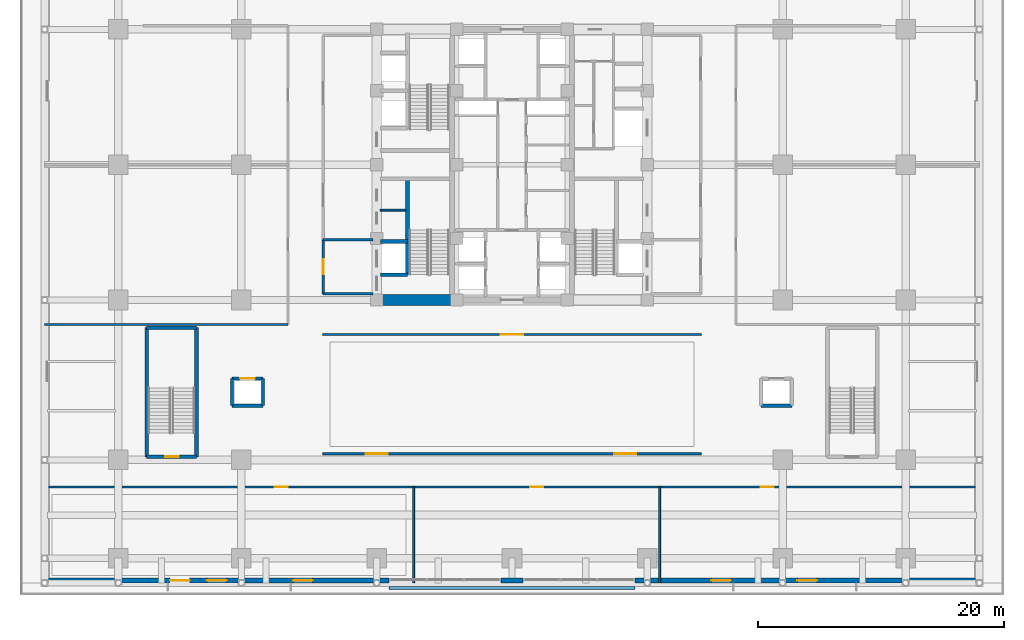
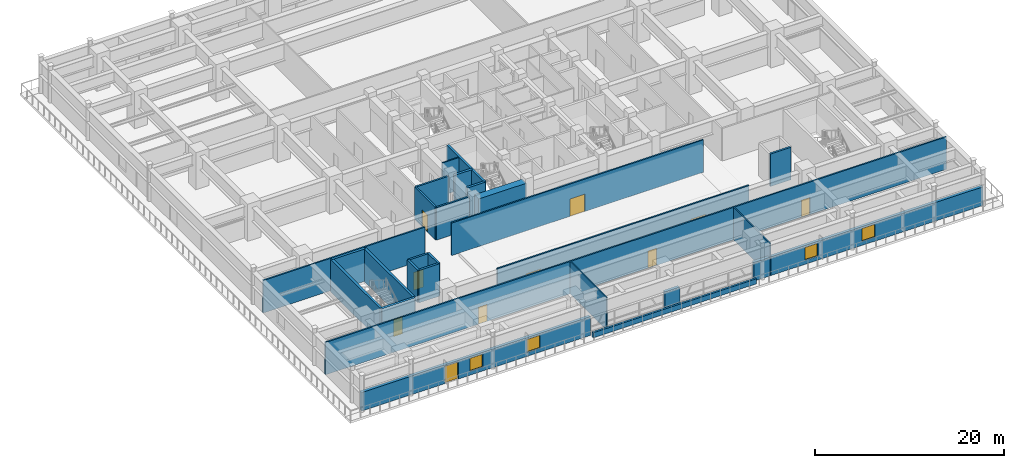
# One storey, part 22 of 35: 27 walls, 8 doors, 6 windows, 14 openings.
"""IFC4 building model written with IfcOpenShell, lengths in metres."""

from ifc_helpers import new_model, si_unit, direction, frame, frame_2d, origin, place, context, subcontext, project, spatial, rectangle, extrude, source, transform, mapped, material, layer, layer_set, type_object, element, fill, save


model = new_model("IFC4")

# Units and contexts
model_context = context("Model", 3, precision=1e-05, world=origin(), true_north=direction((0.0, 1.0)))
body_context = subcontext(model_context, "Body", "Model", "MODEL_VIEW")
ifc_project = project(units=[si_unit("LENGTHUNIT", "METRE"), si_unit("AREAUNIT", "SQUARE_METRE"), si_unit("VOLUMEUNIT", "CUBIC_METRE"), si_unit("PLANEANGLEUNIT", "RADIAN"), si_unit("MASSUNIT", "GRAM", prefix="KILO")], contexts=[model_context])

# Site, building, storey
site_placement = place(None, origin())
site = spatial("IfcSite", under=ifc_project, at=site_placement, CompositionType="ELEMENT")
building_placement = place(site_placement, origin())
building = spatial("IfcBuilding", under=site, at=building_placement, Name="Khorayat Bourse Tower", CompositionType="ELEMENT")
storey_placement = place(building_placement, frame((0.0, 0.0, 22.199951171875)))
storey = spatial("IfcBuildingStorey", under=building, at=storey_placement, Name="L04", CompositionType="ELEMENT", Elevation=22.199951171875)

# Walls
ifc_material_1 = material(Name="Concrete C72/90", Category="concrete")
ifc_layer_1 = layer(ifc_material_1, 0.89990234375)
ifc_layer_set_1 = layer_set([ifc_layer_1], Name="Concrete C72/90")
wall_type_1 = type_object("IfcWallType", Name="WAL-CORE-900", PredefinedType="SHEAR", material=ifc_layer_set_1)
shared_shape_1 = source(origin(), body_context, "Body", "SweptSolid", [
    extrude(rectangle(XDim=5.849853515625, YDim=0.89990234375, at=frame_2d((2.9248046875, 0.0))), origin(), (0.0, 0.0, 1.0), 4.199951171875),
])
wall_1_placement = place(storey_placement, frame((-10.699951171875, -11.0, 0.0), z_axis=(0.0, 0.0, 1.0), x_axis=(1.0, 0.0, 0.0)))
element("IfcWall", 1, at=wall_1_placement, inside=storey, type_object=wall_type_1, Name="L04 Core Shear Wall PIER-WS", PredefinedType="SHEAR", context=body_context, shape_type="MappedRepresentation", body=[
    mapped(shared_shape_1, transform((0.0, 0.0, 0.0), scale=1.0)),
])
ifc_material_2 = material(Name="Precast concrete C45/55", Category="concrete")
ifc_layer_2 = layer(ifc_material_2, 0.239990234375)
ifc_layer_set_2 = layer_set([ifc_layer_2], Name="Precast concrete C45/55")
wall_type_2 = type_object("IfcWallType", Name="WAL-PLANTER-240", PredefinedType="STANDARD", material=ifc_layer_set_2)
shared_shape_2 = source(origin(), body_context, "Body", "SweptSolid", [
    extrude(rectangle(XDim=20.0, YDim=0.239990234375, at=frame_2d((10.0, 0.0))), origin(), (0.0, 0.0, 1.0), 0.650146484375),
])
wall_2_placement = place(storey_placement, frame((-10.0, -34.429931640625, 0.0), z_axis=(0.0, 0.0, 1.0), x_axis=(1.0, 0.0, 0.0)))
element("IfcWall", 2, at=wall_2_placement, inside=storey, type_object=wall_type_2, Name="L04 Planted Terrace Upstand PLN-S", PredefinedType="STANDARD", context=body_context, shape_type="MappedRepresentation", body=[
    mapped(shared_shape_2, transform((0.0, 0.0, 0.0), scale=1.0)),
])

# Wall, openings, door, windows
ifc_layer_3 = layer(ifc_material_2, 0.3798828125)
ifc_layer_set_3 = layer_set([ifc_layer_3], Name="Precast concrete C45/55")
wall_type_3 = type_object("IfcWallType", Name="WAL-EXT-STONE-380", PredefinedType="STANDARD", material=ifc_layer_set_3)
shared_shape_3 = source(origin(), body_context, "Body", "SweptSolid", [
    extrude(rectangle(XDim=28.0, YDim=0.3798828125, at=frame_2d((14.0, 0.0))), origin(), (0.0, 0.0, 1.0), 2.400146484375),
])
wall_3_placement = place(storey_placement, frame((-38.0, -33.81005859375, 0.0), z_axis=(0.0, 0.0, 1.0), x_axis=(1.0, 0.0, 0.0)))
wall_3 = element("IfcWall", 3, at=wall_3_placement, inside=storey, type_object=wall_type_3, Name="L04 Exterior Limestone Wall WAL-L04-EXT-SW", PredefinedType="STANDARD", context=body_context, shape_type="MappedRepresentation", body=[
    mapped(shared_shape_3, transform((0.0, 0.0, 0.0), scale=1.0)),
])
shared_shape_4 = source(origin(), body_context, "Body", "SweptSolid", [
    extrude(rectangle(XDim=1.60009765625, YDim=2.25, at=frame_2d((0.800048828125, 1.125))), frame((0.0, 0.199951171875, 0.0), z_axis=(0.0, -1.0, 0.0), x_axis=(1.0, 0.0, 0.0)), (0.0, 0.0, 1.0), 0.39990234375),
])
opening_1_placement = place(wall_3_placement, frame((10.199951171875, 0.0, 0.0)))
opening_1 = element("IfcOpeningElement", 4, at=opening_1_placement, cuts=wall_3, Name="Opening DE-04", PredefinedType="OPENING", context=body_context, shape_type="MappedRepresentation", body=[
    mapped(shared_shape_4, transform((0.0, 0.0, 0.0), scale=1.0)),
])
shared_shape_5 = source(origin(), body_context, "Body", "SweptSolid", [
    extrude(rectangle(XDim=1.60009765625, YDim=1.679931640625, at=frame_2d((0.800048828125, 0.83984375))), frame((0.0, 0.199951171875, 0.0), z_axis=(0.0, -1.0, 0.0), x_axis=(1.0, 0.0, 0.0)), (0.0, 0.0, 1.0), 0.39990234375),
])
opening_2_placement = place(wall_3_placement, frame((13.199951171875, 0.0, 0.5)))
opening_2 = element("IfcOpeningElement", 5, at=opening_2_placement, cuts=wall_3, Name="Opening WN-02", PredefinedType="OPENING", context=body_context, shape_type="MappedRepresentation", body=[
    mapped(shared_shape_5, transform((0.0, 0.0, 0.0), scale=1.0)),
])
opening_3_placement = place(wall_3_placement, frame((20.199951171875, 0.0, 0.5)))
opening_3 = element("IfcOpeningElement", 6, at=opening_3_placement, cuts=wall_3, Name="Opening WN-02", PredefinedType="OPENING", context=body_context, shape_type="MappedRepresentation", body=[
    mapped(shared_shape_5, transform((0.0, 0.0, 0.0), scale=1.0)),
])
ifc_material_3 = material(Name="Thermally broken aluminium terrace double door", Category="aluminium")
door_type_1 = type_object("IfcDoorType", Name="DR-EXT-TERR-1600", OperationType="NOTDEFINED", PredefinedType="DOOR", material=ifc_material_3)
shared_shape_6 = source(origin(), body_context, "Body", "SweptSolid", [
    extrude(rectangle(XDim=1.60009765625, YDim=2.25, at=frame_2d((0.800048828125, 1.125))), frame((0.0, 0.02490234375, 0.0), z_axis=(0.0, -1.0, 0.0), x_axis=(1.0, 0.0, 0.0)), (0.0, 0.0, 1.0), 0.050048828125),
])
door_1_placement = place(opening_1_placement, origin())
door_1 = element("IfcDoor", 7, at=door_1_placement, inside=storey, type_object=door_type_1, Name="L04 South Garden Terrace Door", OperationType="DOUBLE_DOOR_SINGLE_SWING", OverallHeight=2.25, OverallWidth=1.60009765625, PredefinedType="DOOR", context=body_context, shape_type="MappedRepresentation", body=[
    mapped(shared_shape_6, transform((0.0, 0.0, 0.0), scale=1.0)),
])
fill(opening_1, door_1)
ifc_material_4 = material(Name="Low-E solar-control laminated double glazing", Category="glass")
window_type_1 = type_object("IfcWindowType", Name="WIN-POD-1600x2200", PartitioningType="SINGLE_PANEL", PredefinedType="WINDOW", material=ifc_material_4)
shared_shape_7 = source(origin(), body_context, "Body", "SweptSolid", [
    extrude(rectangle(XDim=1.60009765625, YDim=1.679931640625, at=frame_2d((0.800048828125, 0.83984375))), frame((0.0, 0.030029296875, 0.0), z_axis=(0.0, -1.0, 0.0), x_axis=(1.0, 0.0, 0.0)), (0.0, 0.0, 1.0), 0.06005859375),
])
window_1_placement = place(opening_2_placement, origin())
window_1 = element("IfcWindow", 8, at=window_1_placement, inside=storey, type_object=window_type_1, Name="L04 Facade Window 2", OverallHeight=1.679931640625, OverallWidth=1.60009765625, PartitioningType="SINGLE_PANEL", PredefinedType="WINDOW", context=body_context, shape_type="MappedRepresentation", body=[
    mapped(shared_shape_7, transform((0.0, 0.0, 0.0), scale=1.0)),
])
fill(opening_2, window_1)
window_2_placement = place(opening_3_placement, origin())
window_2 = element("IfcWindow", 9, at=window_2_placement, inside=storey, type_object=window_type_1, Name="L04 Facade Window 3", OverallHeight=1.679931640625, OverallWidth=1.60009765625, PartitioningType="SINGLE_PANEL", PredefinedType="WINDOW", context=body_context, shape_type="MappedRepresentation", body=[
    mapped(shared_shape_7, transform((0.0, 0.0, 0.0), scale=1.0)),
])
fill(opening_3, window_2)

# Wall, openings, windows
wall_4_placement = place(storey_placement, frame((10.0, -33.81005859375, 0.0), z_axis=(0.0, 0.0, 1.0), x_axis=(1.0, 0.0, 0.0)))
wall_4 = element("IfcWall", 10, at=wall_4_placement, inside=storey, type_object=wall_type_3, Name="L04 Exterior Limestone Wall WAL-L04-EXT-SE", PredefinedType="STANDARD", context=body_context, shape_type="MappedRepresentation", body=[
    mapped(shared_shape_3, transform((0.0, 0.0, 0.0), scale=1.0)),
])
opening_4_placement = place(wall_4_placement, frame((6.199951171875, 0.0, 0.5)))
opening_4 = element("IfcOpeningElement", 11, at=opening_4_placement, cuts=wall_4, Name="Opening WN-02", PredefinedType="OPENING", context=body_context, shape_type="MappedRepresentation", body=[
    mapped(shared_shape_5, transform((0.0, 0.0, 0.0), scale=1.0)),
])
opening_5_placement = place(wall_4_placement, frame((13.199951171875, 0.0, 0.5)))
opening_5 = element("IfcOpeningElement", 12, at=opening_5_placement, cuts=wall_4, Name="Opening WN-02", PredefinedType="OPENING", context=body_context, shape_type="MappedRepresentation", body=[
    mapped(shared_shape_5, transform((0.0, 0.0, 0.0), scale=1.0)),
])
window_3_placement = place(opening_4_placement, origin())
window_3 = element("IfcWindow", 13, at=window_3_placement, inside=storey, type_object=window_type_1, Name="L04 Facade Window 1", OverallHeight=1.679931640625, OverallWidth=1.60009765625, PartitioningType="SINGLE_PANEL", PredefinedType="WINDOW", context=body_context, shape_type="MappedRepresentation", body=[
    mapped(shared_shape_7, transform((0.0, 0.0, 0.0), scale=1.0)),
])
fill(opening_4, window_3)
window_4_placement = place(opening_5_placement, origin())
window_4 = element("IfcWindow", 14, at=window_4_placement, inside=storey, type_object=window_type_1, Name="L04 Facade Window 2", OverallHeight=1.679931640625, OverallWidth=1.60009765625, PartitioningType="SINGLE_PANEL", PredefinedType="WINDOW", context=body_context, shape_type="MappedRepresentation", body=[
    mapped(shared_shape_7, transform((0.0, 0.0, 0.0), scale=1.0)),
])
fill(opening_5, window_4)

# Walls
shared_shape_8 = source(origin(), body_context, "Body", "SweptSolid", [
    extrude(rectangle(XDim=1.7998046875, YDim=0.3798828125, at=frame_2d((0.89990234375, 0.0))), origin(), (0.0, 0.0, 1.0), 2.400146484375),
])
wall_5_placement = place(storey_placement, frame((-0.89990234375, -33.81005859375, 0.0), z_axis=(0.0, 0.0, 1.0), x_axis=(1.0, 0.0, 0.0)))
element("IfcWall", 15, at=wall_5_placement, inside=storey, type_object=wall_type_3, Name="L04 Exterior Limestone Wall WAL-L04-EXT-SM", PredefinedType="STANDARD", context=body_context, shape_type="MappedRepresentation", body=[
    mapped(shared_shape_8, transform((0.0, 0.0, 0.0), scale=1.0)),
])
ifc_material_5 = material(Name="Concrete C50/60", Category="concrete")
ifc_layer_4 = layer(ifc_material_5, 0.300048828125)
ifc_layer_set_4 = layer_set([ifc_layer_4], Name="Concrete C50/60")
wall_type_4 = type_object("IfcWallType", Name="WAL-SHAFT-300", PredefinedType="SHEAR", material=ifc_layer_set_4)
shared_shape_9 = source(origin(), body_context, "Body", "SweptSolid", [
    extrude(rectangle(XDim=7.800048828125, YDim=0.300048828125, at=frame_2d((3.89990234375, 0.0))), origin(), (0.0, 0.0, 1.0), 4.199951171875),
])
wall_6_placement = place(storey_placement, frame((-8.5, -8.949951171875, 0.0), z_axis=(0.0, 0.0, 1.0), x_axis=(0.0, 1.0, 0.0)))
element("IfcWall", 16, at=wall_6_placement, inside=storey, type_object=wall_type_4, Name="L04 Partition WAL-L04-WPIER-SP", PredefinedType="SHEAR", context=body_context, shape_type="MappedRepresentation", body=[
    mapped(shared_shape_9, transform((0.0, 0.0, 0.0), scale=1.0)),
])
shared_shape_10 = source(origin(), body_context, "Body", "SweptSolid", [
    extrude(rectangle(XDim=2.199951171875, YDim=0.300048828125, at=frame_2d((1.10009765625, 0.0))), origin(), (0.0, 0.0, 1.0), 4.199951171875),
])
for number, where, z_axis, x_axis, name in (
    (17, (-10.699951171875, -8.949951171875, 0.0), (0.0, 0.0, 1.0), (1.0, 0.0, 0.0), "L04 Partition WAL-L04-WPIER-FF1S"),
    (18, (-10.699951171875, -6.25, 0.0), (0.0, 0.0, 1.0), (1.0, 0.0, 0.0), "L04 Partition WAL-L04-WPIER-FF1N"),
):
    element("IfcWall", number, at=place(storey_placement, frame(where, z_axis=z_axis, x_axis=x_axis)), inside=storey, type_object=wall_type_4, Name=name, PredefinedType="SHEAR", context=body_context, shape_type="MappedRepresentation", body=[
        mapped(shared_shape_10, transform((0.0, 0.0, 0.0), scale=1.0)),
    ])
ifc_material_6 = material(Name="Gypsum plasterboard twin-frame partition")
ifc_layer_5 = layer(ifc_material_6, 0.14990234375)
ifc_layer_set_5 = layer_set([ifc_layer_5], Name="Gypsum plasterboard twin-frame partition")
wall_type_5 = type_object("IfcWallType", Name="WAL-PART-SUITE-150", PredefinedType="PARTITIONING", material=ifc_layer_set_5)
shared_shape_11 = source(origin(), body_context, "Body", "SweptSolid", [
    extrude(rectangle(XDim=2.050048828125, YDim=0.14990234375, at=frame_2d((1.02490234375, 0.0))), origin(), (0.0, 0.0, 1.0), 4.199951171875),
])
wall_7_placement = place(storey_placement, frame((-10.699951171875, -3.699951171875, 0.0), z_axis=(0.0, 0.0, 1.0), x_axis=(1.0, 0.0, 0.0)))
element("IfcWall", 19, at=wall_7_placement, inside=storey, type_object=wall_type_5, Name="L04 Partition WAL-L04-WSRV-D1", PredefinedType="PARTITIONING", context=body_context, shape_type="MappedRepresentation", body=[
    mapped(shared_shape_11, transform((0.0, 0.0, 0.0), scale=1.0)),
])
ifc_material_7 = material(Name="Aerated concrete blockwork", Category="masonry")
ifc_layer_6 = layer(ifc_material_7, 0.219970703125)
ifc_layer_set_6 = layer_set([ifc_layer_6], Name="Aerated concrete blockwork")
wall_type_6 = type_object("IfcWallType", Name="WAL-PART-FF-220", PredefinedType="PARTITIONING", material=ifc_layer_set_6)
shared_shape_12 = source(origin(), body_context, "Body", "SweptSolid", [
    extrude(rectangle(XDim=4.050048828125, YDim=0.219970703125, at=frame_2d((2.02490234375, 0.0))), origin(), (0.0, 0.0, 1.0), 4.199951171875),
])
for number, where, z_axis, x_axis, name in (
    (20, (-15.35009765625, -10.5, 0.0), (0.0, 0.0, 1.0), (1.0, 0.0, 0.0), "L04 Partition WAL-L04-FFLW-S"),
    (21, (-15.35009765625, -6.10009765625, 0.0), (0.0, 0.0, 1.0), (1.0, 0.0, 0.0), "L04 Partition WAL-L04-FFLW-N"),
):
    element("IfcWall", number, at=place(storey_placement, frame(where, z_axis=z_axis, x_axis=x_axis)), inside=storey, type_object=wall_type_6, Name=name, PredefinedType="PARTITIONING", context=body_context, shape_type="MappedRepresentation", body=[
        mapped(shared_shape_12, transform((0.0, 0.0, 0.0), scale=1.0)),
    ])

# Wall, opening, door
shared_shape_13 = source(origin(), body_context, "Body", "SweptSolid", [
    extrude(rectangle(XDim=4.39990234375, YDim=0.219970703125, at=frame_2d((2.199951171875, 0.0))), origin(), (0.0, 0.0, 1.0), 4.199951171875),
])
wall_8_placement = place(storey_placement, frame((-15.35009765625, -10.5, 0.0), z_axis=(0.0, 0.0, 1.0), x_axis=(0.0, 1.0, 0.0)))
wall_8 = element("IfcWall", 22, at=wall_8_placement, inside=storey, type_object=wall_type_6, Name="L04 Partition WAL-L04-FFLW-W", PredefinedType="PARTITIONING", context=body_context, shape_type="MappedRepresentation", body=[
    mapped(shared_shape_13, transform((0.0, 0.0, 0.0), scale=1.0)),
])
shared_shape_14 = source(origin(), body_context, "Body", "SweptSolid", [
    extrude(rectangle(XDim=1.199951171875, YDim=2.199951171875, at=frame_2d((0.60009765625, 1.10009765625))), frame((0.0, 0.119873046875, 0.0), z_axis=(0.0, -1.0, 0.0), x_axis=(1.0, 0.0, 0.0)), (0.0, 0.0, 1.0), 0.239990234375),
])
opening_6_placement = place(wall_8_placement, frame((1.60009765625, 0.0, 0.0)))
opening_6 = element("IfcOpeningElement", 23, at=opening_6_placement, cuts=wall_8, Name="Opening DI-02", PredefinedType="OPENING", context=body_context, shape_type="MappedRepresentation", body=[
    mapped(shared_shape_14, transform((0.0, 0.0, 0.0), scale=1.0)),
])
ifc_material_8 = material(Name="Fire-rated steel double-seal leaf", Category="steel")
door_type_2 = type_object("IfcDoorType", Name="DR-INT-FFLOBBY-1200", OperationType="NOTDEFINED", PredefinedType="DOOR", material=ifc_material_8)
shared_shape_15 = source(origin(), body_context, "Body", "SweptSolid", [
    extrude(rectangle(XDim=1.199951171875, YDim=2.199951171875, at=frame_2d((0.60009765625, 1.10009765625))), frame((0.0, 0.02490234375, 0.0), z_axis=(0.0, -1.0, 0.0), x_axis=(1.0, 0.0, 0.0)), (0.0, 0.0, 1.0), 0.050048828125),
])
door_2_placement = place(opening_6_placement, origin())
door_2 = element("IfcDoor", 24, at=door_2_placement, inside=storey, type_object=door_type_2, Name="L04 West Firefighting Lobby Door", OperationType="SINGLE_SWING_LEFT", OverallHeight=2.199951171875, OverallWidth=1.199951171875, PredefinedType="DOOR", context=body_context, shape_type="MappedRepresentation", body=[
    mapped(shared_shape_15, transform((0.0, 0.0, 0.0), scale=1.0)),
])
fill(opening_6, door_2)

shared_shape_16 = source(origin(), body_context, "Body", "SweptSolid", [
    extrude(rectangle(XDim=4.050048828125, YDim=0.300048828125, at=frame_2d((2.02490234375, 0.0))), origin(), (0.0, 0.0, 1.0), 4.199951171875),
])
wall_9_placement = place(storey_placement, frame((-29.699951171875, -23.75, 0.0), z_axis=(0.0, 0.0, 1.0), x_axis=(1.0, 0.0, 0.0)))
wall_9 = element("IfcWall", 25, at=wall_9_placement, inside=storey, type_object=wall_type_4, Name="L04 Partition WAL-L04-STP1-S", PredefinedType="SHEAR", context=body_context, shape_type="MappedRepresentation", body=[
    mapped(shared_shape_16, transform((0.0, 0.0, 0.0), scale=1.0)),
])
shared_shape_17 = source(origin(), body_context, "Body", "SweptSolid", [
    extrude(rectangle(XDim=1.10009765625, YDim=2.199951171875, at=frame_2d((0.550048828125, 1.10009765625))), frame((0.0, 0.159912109375, 0.0), z_axis=(0.0, -1.0, 0.0), x_axis=(1.0, 0.0, 0.0)), (0.0, 0.0, 1.0), 0.320068359375),
])
opening_7_placement = place(wall_9_placement, frame((1.5, 0.0, 0.0)))
opening_7 = element("IfcOpeningElement", 26, at=opening_7_placement, cuts=wall_9, Name="Opening DI-01", PredefinedType="OPENING", context=body_context, shape_type="MappedRepresentation", body=[
    mapped(shared_shape_17, transform((0.0, 0.0, 0.0), scale=1.0)),
])
ifc_material_9 = material(Name="Fire-rated steel acoustic leaf", Category="steel")
door_type_3 = type_object("IfcDoorType", Name="DR-INT-STAIR-1100", OperationType="NOTDEFINED", PredefinedType="DOOR", material=ifc_material_9)
shared_shape_18 = source(origin(), body_context, "Body", "SweptSolid", [
    extrude(rectangle(XDim=1.10009765625, YDim=2.199951171875, at=frame_2d((0.550048828125, 1.10009765625))), frame((0.0, 0.02490234375, 0.0), z_axis=(0.0, -1.0, 0.0), x_axis=(1.0, 0.0, 0.0)), (0.0, 0.0, 1.0), 0.050048828125),
])
door_3_placement = place(opening_7_placement, origin())
door_3 = element("IfcDoor", 27, at=door_3_placement, inside=storey, type_object=door_type_3, Name="L04 Podium Stair P1 Door", OperationType="SINGLE_SWING_RIGHT", OverallHeight=2.199951171875, OverallWidth=1.10009765625, PredefinedType="DOOR", context=body_context, shape_type="MappedRepresentation", body=[
    mapped(shared_shape_18, transform((0.0, 0.0, 0.0), scale=1.0)),
])
fill(opening_7, door_3)

# Walls
wall_10_placement = place(storey_placement, frame((-29.699951171875, -13.25, 0.0), z_axis=(0.0, 0.0, 1.0), x_axis=(1.0, 0.0, 0.0)))
element("IfcWall", 28, at=wall_10_placement, inside=storey, type_object=wall_type_4, Name="L04 Partition WAL-L04-STP1-N", PredefinedType="SHEAR", context=body_context, shape_type="MappedRepresentation", body=[
    mapped(shared_shape_16, transform((0.0, 0.0, 0.0), scale=1.0)),
])
shared_shape_19 = source(origin(), body_context, "Body", "SweptSolid", [
    extrude(rectangle(XDim=10.5, YDim=0.300048828125, at=frame_2d((5.25, 0.0))), origin(), (0.0, 0.0, 1.0), 4.199951171875),
])
for number, where, z_axis, x_axis, name in (
    (29, (-29.699951171875, -23.75, 0.0), (0.0, 0.0, 1.0), (0.0, 1.0, 0.0), "L04 Partition WAL-L04-STP1-W"),
    (30, (-25.64990234375, -23.75, 0.0), (0.0, 0.0, 1.0), (0.0, 1.0, 0.0), "L04 Partition WAL-L04-STP1-E"),
):
    element("IfcWall", number, at=place(storey_placement, frame(where, z_axis=z_axis, x_axis=x_axis)), inside=storey, type_object=wall_type_4, Name=name, PredefinedType="SHEAR", context=body_context, shape_type="MappedRepresentation", body=[
        mapped(shared_shape_19, transform((0.0, 0.0, 0.0), scale=1.0)),
    ])
shared_shape_20 = source(origin(), body_context, "Body", "SweptSolid", [
    extrude(rectangle(XDim=2.5, YDim=0.25, at=frame_2d((1.25, 0.0))), origin(), (0.0, 0.0, 1.0), 4.199951171875),
])
wall_11_placement = place(storey_placement, frame((-22.75, -19.60009765625, 0.0), z_axis=(0.0, 0.0, 1.0), x_axis=(1.0, 0.0, 0.0)))
element("IfcWall", 31, at=wall_11_placement, inside=storey, type_object=wall_type_4, Name="L04 Partition WAL-L04-PLP1-S", PredefinedType="SHEAR", context=body_context, shape_type="MappedRepresentation", body=[
    mapped(shared_shape_20, transform((0.0, 0.0, 0.0), scale=1.0)),
])

# Wall, opening, door
wall_12_placement = place(storey_placement, frame((-22.75, -17.39990234375, 0.0), z_axis=(0.0, 0.0, 1.0), x_axis=(1.0, 0.0, 0.0)))
wall_12 = element("IfcWall", 32, at=wall_12_placement, inside=storey, type_object=wall_type_4, Name="L04 Partition WAL-L04-PLP1-N", PredefinedType="SHEAR", context=body_context, shape_type="MappedRepresentation", body=[
    mapped(shared_shape_20, transform((0.0, 0.0, 0.0), scale=1.0)),
])
shared_shape_21 = source(origin(), body_context, "Body", "SweptSolid", [
    extrude(rectangle(XDim=1.199951171875, YDim=2.300048828125, at=frame_2d((0.60009765625, 1.14990234375))), frame((0.0, 0.135009765625, 0.0), z_axis=(0.0, -1.0, 0.0), x_axis=(1.0, 0.0, 0.0)), (0.0, 0.0, 1.0), 0.27001953125),
])
opening_8_placement = place(wall_12_placement, frame((0.64990234375, 0.0, 0.0)))
opening_8 = element("IfcOpeningElement", 33, at=opening_8_placement, cuts=wall_12, Name="Opening LD-01", PredefinedType="OPENING", context=body_context, shape_type="MappedRepresentation", body=[
    mapped(shared_shape_21, transform((0.0, 0.0, 0.0), scale=1.0)),
])
ifc_material_10 = material(Name="Brushed bronze stainless-steel sliding door", Category="steel")
door_type_4 = type_object("IfcDoorType", Name="DR-LIFT-PASS-1200", OperationType="NOTDEFINED", PredefinedType="DOOR", material=ifc_material_10)
shared_shape_22 = source(origin(), body_context, "Body", "SweptSolid", [
    extrude(rectangle(XDim=1.199951171875, YDim=2.300048828125, at=frame_2d((0.60009765625, 1.14990234375))), frame((0.0, 0.02490234375, 0.0), z_axis=(0.0, -1.0, 0.0), x_axis=(1.0, 0.0, 0.0)), (0.0, 0.0, 1.0), 0.050048828125),
])
door_4_placement = place(opening_8_placement, origin())
door_4 = element("IfcDoor", 34, at=door_4_placement, inside=storey, type_object=door_type_4, Name="L04 Lift PL-P1 Sliding Landing Door", OperationType="SLIDING_TO_LEFT", OverallHeight=2.300048828125, OverallWidth=1.199951171875, PredefinedType="DOOR", context=body_context, shape_type="MappedRepresentation", body=[
    mapped(shared_shape_22, transform((0.0, 0.0, 0.0), scale=1.0)),
])
fill(opening_8, door_4)

# Walls
wall_13_placement = place(storey_placement, frame((20.25, -19.60009765625, 0.0), z_axis=(0.0, 0.0, 1.0), x_axis=(1.0, 0.0, 0.0)))
element("IfcWall", 35, at=wall_13_placement, inside=storey, type_object=wall_type_4, Name="L04 Partition WAL-L04-PLP2-S", PredefinedType="SHEAR", context=body_context, shape_type="MappedRepresentation", body=[
    mapped(shared_shape_20, transform((0.0, 0.0, 0.0), scale=1.0)),
])
shared_shape_23 = source(origin(), body_context, "Body", "SweptSolid", [
    extrude(rectangle(XDim=2.2001953125, YDim=0.25, at=frame_2d((1.10009765625, 0.0))), origin(), (0.0, 0.0, 1.0), 4.199951171875),
])
for number, where, z_axis, x_axis, name in (
    (36, (-22.75, -19.60009765625, 0.0), (0.0, 0.0, 1.0), (0.0, 1.0, 0.0), "L04 Partition WAL-L04-PLP1-W"),
    (37, (-20.25, -19.60009765625, 0.0), (0.0, 0.0, 1.0), (0.0, 1.0, 0.0), "L04 Partition WAL-L04-PLP1-E"),
):
    element("IfcWall", number, at=place(storey_placement, frame(where, z_axis=z_axis, x_axis=x_axis)), inside=storey, type_object=wall_type_4, Name=name, PredefinedType="SHEAR", context=body_context, shape_type="MappedRepresentation", body=[
        mapped(shared_shape_23, transform((0.0, 0.0, 0.0), scale=1.0)),
    ])

# Wall, opening, door
ifc_material_11 = material(Name="Gypsum plasterboard acoustic stud wall")
ifc_layer_7 = layer(ifc_material_11, 0.179931640625)
ifc_layer_set_7 = layer_set([ifc_layer_7], Name="Gypsum plasterboard acoustic stud wall")
wall_type_7 = type_object("IfcWallType", Name="WAL-PART-CORR-180", PredefinedType="PARTITIONING", material=ifc_layer_set_7)
shared_shape_24 = source(origin(), body_context, "Body", "SweptSolid", [
    extrude(rectangle(XDim=30.7998046875, YDim=0.179931640625, at=frame_2d((15.39990234375, 0.0))), origin(), (0.0, 0.0, 1.0), 4.199951171875),
])
wall_14_placement = place(storey_placement, frame((-15.39990234375, -13.800048828125, 0.0), z_axis=(0.0, 0.0, 1.0), x_axis=(1.0, 0.0, 0.0)))
wall_14 = element("IfcWall", 38, at=wall_14_placement, inside=storey, type_object=wall_type_7, Name="L04 Partition WAL-L04-HALL-N", PredefinedType="PARTITIONING", context=body_context, shape_type="MappedRepresentation", body=[
    mapped(shared_shape_24, transform((0.0, 0.0, 0.0), scale=1.0)),
])
shared_shape_25 = source(origin(), body_context, "Body", "SweptSolid", [
    extrude(rectangle(XDim=1.800048828125, YDim=2.25, at=frame_2d((0.89990234375, 1.125))), frame((0.0, 0.099853515625, 0.0), z_axis=(0.0, -1.0, 0.0), x_axis=(1.0, 0.0, 0.0)), (0.0, 0.0, 1.0), 0.199951171875),
])
opening_9_placement = place(wall_14_placement, frame((14.5, 0.0, 0.0)))
opening_9 = element("IfcOpeningElement", 39, at=opening_9_placement, cuts=wall_14, Name="Opening DI-03", PredefinedType="OPENING", context=body_context, shape_type="MappedRepresentation", body=[
    mapped(shared_shape_25, transform((0.0, 0.0, 0.0), scale=1.0)),
])
ifc_material_12 = material(Name="Fire-rated hardwood vision-panel double leaf", Category="wood")
door_type_5 = type_object("IfcDoorType", Name="DR-INT-CORR-1800", OperationType="NOTDEFINED", PredefinedType="DOOR", material=ifc_material_12)
shared_shape_26 = source(origin(), body_context, "Body", "SweptSolid", [
    extrude(rectangle(XDim=1.800048828125, YDim=2.25, at=frame_2d((0.89990234375, 1.125))), frame((0.0, 0.02490234375, 0.0), z_axis=(0.0, -1.0, 0.0), x_axis=(1.0, 0.0, 0.0)), (0.0, 0.0, 1.0), 0.050048828125),
])
door_5_placement = place(opening_9_placement, origin())
door_5 = element("IfcDoor", 40, at=door_5_placement, inside=storey, type_object=door_type_5, Name="L04 Listing Ceremony Auditorium Door", OperationType="SINGLE_SWING_LEFT", OverallHeight=2.25, OverallWidth=1.800048828125, PredefinedType="DOOR", context=body_context, shape_type="MappedRepresentation", body=[
    mapped(shared_shape_26, transform((0.0, 0.0, 0.0), scale=1.0)),
])
fill(opening_9, door_5)

# Wall, openings, windows
wall_15_placement = place(storey_placement, frame((-15.39990234375, -23.5, 0.0), z_axis=(0.0, 0.0, 1.0), x_axis=(1.0, 0.0, 0.0)))
wall_15 = element("IfcWall", 41, at=wall_15_placement, inside=storey, type_object=wall_type_7, Name="L04 Partition WAL-L04-HALL-S", PredefinedType="PARTITIONING", context=body_context, shape_type="MappedRepresentation", body=[
    mapped(shared_shape_24, transform((0.0, 0.0, 0.0), scale=1.0)),
])
shared_shape_27 = source(origin(), body_context, "Body", "SweptSolid", [
    extrude(rectangle(XDim=1.800048828125, YDim=1.39990234375, at=frame_2d((0.89990234375, 0.699951171875))), frame((0.0, 0.099853515625, 0.0), z_axis=(0.0, -1.0, 0.0), x_axis=(1.0, 0.0, 0.0)), (0.0, 0.0, 1.0), 0.199951171875),
])
opening_10_placement = place(wall_15_placement, frame((3.5, 0.0, 0.89990234375)))
opening_10 = element("IfcOpeningElement", 42, at=opening_10_placement, cuts=wall_15, Name="Opening WNI-01", PredefinedType="OPENING", context=body_context, shape_type="MappedRepresentation", body=[
    mapped(shared_shape_27, transform((0.0, 0.0, 0.0), scale=1.0)),
])
opening_11_placement = place(wall_15_placement, frame((23.699951171875, 0.0, 0.89990234375)))
opening_11 = element("IfcOpeningElement", 43, at=opening_11_placement, cuts=wall_15, Name="Opening WNI-01", PredefinedType="OPENING", context=body_context, shape_type="MappedRepresentation", body=[
    mapped(shared_shape_27, transform((0.0, 0.0, 0.0), scale=1.0)),
])
ifc_material_13 = material(Name="Acoustic laminated interior vision glazing", Category="glass")
window_type_2 = type_object("IfcWindowType", Name="WIN-INT-VISION-1800", PartitioningType="SINGLE_PANEL", PredefinedType="WINDOW", material=ifc_material_13)
shared_shape_28 = source(origin(), body_context, "Body", "SweptSolid", [
    extrude(rectangle(XDim=1.800048828125, YDim=1.39990234375, at=frame_2d((0.89990234375, 0.699951171875))), frame((0.0, 0.030029296875, 0.0), z_axis=(0.0, -1.0, 0.0), x_axis=(1.0, 0.0, 0.0)), (0.0, 0.0, 1.0), 0.06005859375),
])
window_5_placement = place(opening_10_placement, origin())
window_5 = element("IfcWindow", 44, at=window_5_placement, inside=storey, type_object=window_type_2, Name="L04 Interior Gallery Vision Window 1", OverallHeight=1.39990234375, OverallWidth=1.800048828125, PartitioningType="SINGLE_PANEL", PredefinedType="WINDOW", context=body_context, shape_type="MappedRepresentation", body=[
    mapped(shared_shape_28, transform((0.0, 0.0, 0.0), scale=1.0)),
])
fill(opening_10, window_5)
window_6_placement = place(opening_11_placement, origin())
window_6 = element("IfcWindow", 45, at=window_6_placement, inside=storey, type_object=window_type_2, Name="L04 Interior Gallery Vision Window 2", OverallHeight=1.39990234375, OverallWidth=1.800048828125, PartitioningType="SINGLE_PANEL", PredefinedType="WINDOW", context=body_context, shape_type="MappedRepresentation", body=[
    mapped(shared_shape_28, transform((0.0, 0.0, 0.0), scale=1.0)),
])
fill(opening_11, window_6)

# Walls
shared_shape_29 = source(origin(), body_context, "Body", "SweptSolid", [
    extrude(rectangle(XDim=7.800048828125, YDim=0.14990234375, at=frame_2d((3.89990234375, 0.0))), origin(), (0.0, 0.0, 1.0), 4.199951171875),
])
for number, where, z_axis, x_axis, name in (
    (46, (-8.0, -34.0, 0.0), (0.0, 0.0, 1.0), (0.0, 1.0, 0.0), "L04 Partition WAL-L04-PS-DIV-1"),
    (47, (12.0, -34.0, 0.0), (0.0, 0.0, 1.0), (0.0, 1.0, 0.0), "L04 Partition WAL-L04-PS-DIV-2"),
):
    element("IfcWall", number, at=place(storey_placement, frame(where, z_axis=z_axis, x_axis=x_axis)), inside=storey, type_object=wall_type_5, Name=name, PredefinedType="PARTITIONING", context=body_context, shape_type="MappedRepresentation", body=[
        mapped(shared_shape_29, transform((0.0, 0.0, 0.0), scale=1.0)),
    ])

# Wall, openings, doors
shared_shape_30 = source(origin(), body_context, "Body", "SweptSolid", [
    extrude(rectangle(XDim=76.0, YDim=0.179931640625, at=frame_2d((38.0, 0.0))), origin(), (0.0, 0.0, 1.0), 4.199951171875),
])
wall_16_placement = place(storey_placement, frame((-38.0, -26.199951171875, 0.0), z_axis=(0.0, 0.0, 1.0), x_axis=(1.0, 0.0, 0.0)))
wall_16 = element("IfcWall", 48, at=wall_16_placement, inside=storey, type_object=wall_type_7, Name="L04 Partition WAL-L04-PCORRS-S", PredefinedType="PARTITIONING", context=body_context, shape_type="MappedRepresentation", body=[
    mapped(shared_shape_30, transform((0.0, 0.0, 0.0), scale=1.0)),
])
shared_shape_31 = source(origin(), body_context, "Body", "SweptSolid", [
    extrude(rectangle(XDim=1.050048828125, YDim=2.199951171875, at=frame_2d((0.52490234375, 1.10009765625))), frame((0.0, 0.099853515625, 0.0), z_axis=(0.0, -1.0, 0.0), x_axis=(1.0, 0.0, 0.0)), (0.0, 0.0, 1.0), 0.199951171875),
])
opening_12_placement = place(wall_16_placement, frame((18.72509765625, 0.0, 0.0)))
opening_12 = element("IfcOpeningElement", 49, at=opening_12_placement, cuts=wall_16, Name="Opening DI-04", PredefinedType="OPENING", context=body_context, shape_type="MappedRepresentation", body=[
    mapped(shared_shape_31, transform((0.0, 0.0, 0.0), scale=1.0)),
])
opening_13_placement = place(wall_16_placement, frame((39.47509765625, 0.0, 0.0)))
opening_13 = element("IfcOpeningElement", 50, at=opening_13_placement, cuts=wall_16, Name="Opening DI-04", PredefinedType="OPENING", context=body_context, shape_type="MappedRepresentation", body=[
    mapped(shared_shape_31, transform((0.0, 0.0, 0.0), scale=1.0)),
])
opening_14_placement = place(wall_16_placement, frame((58.22509765625, 0.0, 0.0)))
opening_14 = element("IfcOpeningElement", 51, at=opening_14_placement, cuts=wall_16, Name="Opening DI-04", PredefinedType="OPENING", context=body_context, shape_type="MappedRepresentation", body=[
    mapped(shared_shape_31, transform((0.0, 0.0, 0.0), scale=1.0)),
])
ifc_material_14 = material(Name="Fire-rated oak veneer suite entrance door")
door_type_6 = type_object("IfcDoorType", Name="DR-INT-SUITE-1050", OperationType="NOTDEFINED", PredefinedType="DOOR", material=ifc_material_14)
shared_shape_32 = source(origin(), body_context, "Body", "SweptSolid", [
    extrude(rectangle(XDim=1.050048828125, YDim=2.199951171875, at=frame_2d((0.52490234375, 1.10009765625))), frame((0.0, 0.02490234375, 0.0), z_axis=(0.0, -1.0, 0.0), x_axis=(1.0, 0.0, 0.0)), (0.0, 0.0, 1.0), 0.050048828125),
])
door_6_placement = place(opening_12_placement, origin())
door_6 = element("IfcDoor", 52, at=door_6_placement, inside=storey, type_object=door_type_6, Name="L04 VIP Pre-Function Gallery Door", OperationType="SINGLE_SWING_RIGHT", OverallHeight=2.199951171875, OverallWidth=1.050048828125, PredefinedType="DOOR", context=body_context, shape_type="MappedRepresentation", body=[
    mapped(shared_shape_32, transform((0.0, 0.0, 0.0), scale=1.0)),
])
fill(opening_12, door_6)
door_7_placement = place(opening_13_placement, origin())
door_7 = element("IfcDoor", 53, at=door_7_placement, inside=storey, type_object=door_type_6, Name="L04 Financial Reference Library Door", OperationType="SINGLE_SWING_LEFT", OverallHeight=2.199951171875, OverallWidth=1.050048828125, PredefinedType="DOOR", context=body_context, shape_type="MappedRepresentation", body=[
    mapped(shared_shape_32, transform((0.0, 0.0, 0.0), scale=1.0)),
])
fill(opening_13, door_7)
door_8_placement = place(opening_14_placement, origin())
door_8 = element("IfcDoor", 54, at=door_8_placement, inside=storey, type_object=door_type_6, Name="L04 Board Dining Room Door", OperationType="SINGLE_SWING_RIGHT", OverallHeight=2.199951171875, OverallWidth=1.050048828125, PredefinedType="DOOR", context=body_context, shape_type="MappedRepresentation", body=[
    mapped(shared_shape_32, transform((0.0, 0.0, 0.0), scale=1.0)),
])
fill(opening_14, door_8)

# Wall
shared_shape_33 = source(origin(), body_context, "Body", "SweptSolid", [
    extrude(rectangle(XDim=19.800048828125, YDim=0.179931640625, at=frame_2d((9.89990234375, 0.0))), origin(), (0.0, 0.0, 1.0), 4.199951171875),
])
wall_17_placement = place(storey_placement, frame((-38.0, -13.0, 0.0), z_axis=(0.0, 0.0, 1.0), x_axis=(1.0, 0.0, 0.0)))
element("IfcWall", 55, at=wall_17_placement, inside=storey, type_object=wall_type_7, Name="L04 Partition WAL-L04-PW-S", PredefinedType="PARTITIONING", context=body_context, shape_type="MappedRepresentation", body=[
    mapped(shared_shape_33, transform((0.0, 0.0, 0.0), scale=1.0)),
])

save(model, "model.ifc")
